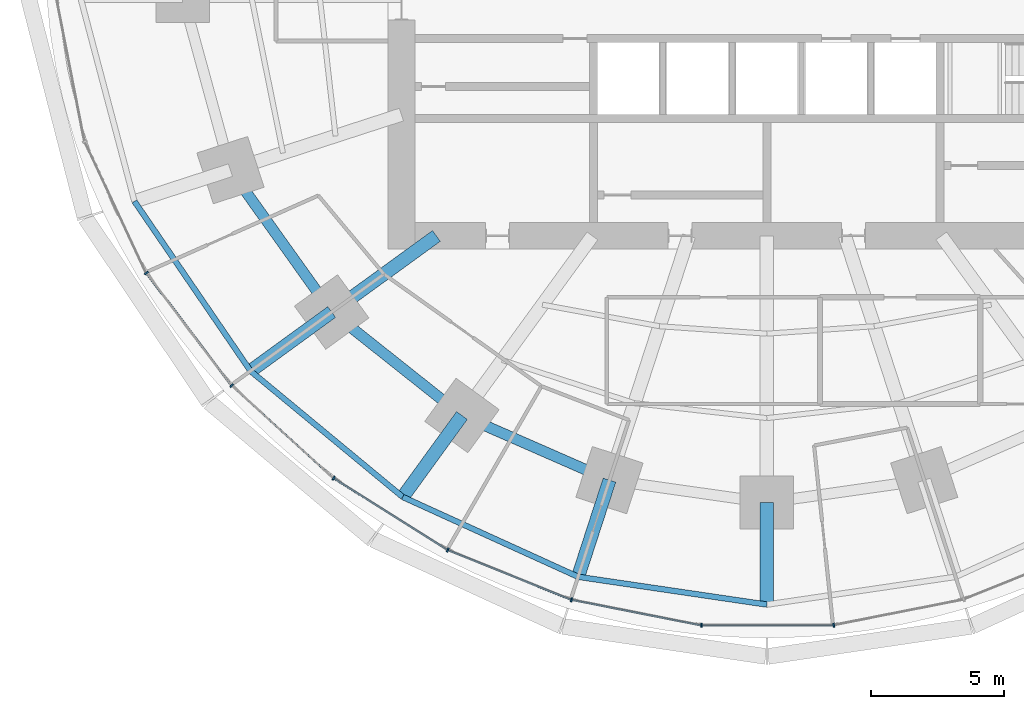
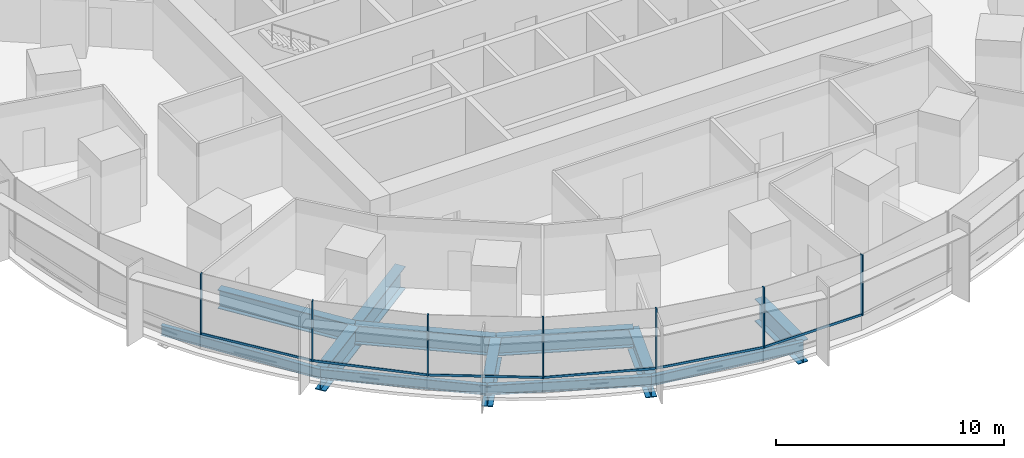
# One storey, part 2 of 15: 13 members, 12 beams, 2 elements without a shape of their own.
"""IFC4 building model written with IfcOpenShell, lengths in metres."""

from ifc_helpers import new_model, si_unit, direction, frame, origin, origin_2d, place, context, subcontext, project, spatial, rectangle, i_section, extrude, material, material_profile, profile_set, type_object, element, aggregate, save


model = new_model("IFC4")

# Units and contexts
model_context = context("Model", 3, precision=1e-05, world=origin(), true_north=direction((0.0, 1.0)))
body_context = subcontext(model_context, "Body", "Model", "MODEL_VIEW")
ifc_project = project(units=[si_unit("LENGTHUNIT", "METRE"), si_unit("AREAUNIT", "SQUARE_METRE"), si_unit("VOLUMEUNIT", "CUBIC_METRE"), si_unit("PLANEANGLEUNIT", "RADIAN"), si_unit("MASSUNIT", "GRAM", prefix="KILO")], contexts=[model_context])

# Site, building, storey
site_placement = place(None, origin())
site = spatial("IfcSite", under=ifc_project, at=site_placement, CompositionType="ELEMENT")
building_placement = place(site_placement, origin())
building = spatial("IfcBuilding", under=site, at=building_placement, Name="Marramba Exchange Tower", CompositionType="ELEMENT")
storey_placement = place(building_placement, frame((0.0, 0.0, 57.39990234375)))
storey = spatial("IfcBuildingStorey", under=building, at=storey_placement, Name="L13", CompositionType="ELEMENT", Elevation=57.39990234375)

# Beams
ifc_material_1 = material(Name="Steel AS/NZS 3679.2 grade 300", Category="steel")
ifc_material_profile_1 = material_profile(ifc_material_1, i_section(OverallWidth=0.5, OverallDepth=1.199951171875, WebThickness=0.01611328125, FlangeThickness=0.0400390625, at=origin_2d()), Name="1200WB455")
ifc_profile_set_1 = profile_set([ifc_material_profile_1], Name="Steel AS/NZS 3679.2 grade 300")
beam_type_1 = type_object("IfcBeamType", Name="Cantilever girder 1200WB455", PredefinedType="BEAM", material=ifc_profile_set_1)
beam_1_placement = place(storey_placement, frame((-16.3154296875, -11.853759765625, -0.760009765625), z_axis=(-0.809008346081, -0.587797155463, 0.0), x_axis=(0.587797155463, -0.809008346081, 0.0)))
element("IfcBeam", 1, at=beam_1_placement, inside=storey, type_object=beam_type_1, Name="Cantilever girder L13 TC13", PredefinedType="BEAM", context=body_context, shape_type="SweptSolid", body=[
    extrude(i_section(OverallWidth=0.5, OverallDepth=1.199951171875, WebThickness=0.01611328125, FlangeThickness=0.0400390625, at=origin_2d()), origin(), (0.0, 0.0, 1.0), 3.76025390625),
])
beam_2_placement = place(storey_placement, frame((-11.430419921875, -15.732666015625, -0.760009765625), z_axis=(-0.587787232741, -0.809015555491, 0.0), x_axis=(0.809015555491, -0.587787232741, 0.0)))
element("IfcBeam", 2, at=beam_2_placement, inside=storey, type_object=beam_type_1, Name="Cantilever girder L13 TC14", PredefinedType="BEAM", context=body_context, shape_type="SweptSolid", body=[
    extrude(i_section(OverallWidth=0.5, OverallDepth=1.199951171875, WebThickness=0.01611328125, FlangeThickness=0.0400390625, at=origin_2d()), origin(), (0.0, 0.0, 1.0), 3.7763671875),
])
beam_3_placement = place(storey_placement, frame((-5.899658203125, -18.156982421875, -0.760009765625), z_axis=(-0.309009272901, -0.951059025119, 0.0), x_axis=(0.951059025119, -0.309009272901, 0.0)))
element("IfcBeam", 3, at=beam_3_placement, inside=storey, type_object=beam_type_1, Name="Cantilever girder L13 TC15", PredefinedType="BEAM", context=body_context, shape_type="SweptSolid", body=[
    extrude(i_section(OverallWidth=0.5, OverallDepth=1.199951171875, WebThickness=0.01611328125, FlangeThickness=0.0400390625, at=origin_2d()), origin(), (0.0, 0.0, 1.0), 3.809814453125),
])
beam_4_placement = place(storey_placement, frame((0.0, -18.99609375, -0.760009765625), z_axis=(0.0, -1.0, 0.0), x_axis=(1.0, 0.0, 0.0)))
element("IfcBeam", 4, at=beam_4_placement, inside=storey, type_object=beam_type_1, Name="Cantilever girder L13 TC16", PredefinedType="BEAM", context=body_context, shape_type="SweptSolid", body=[
    extrude(i_section(OverallWidth=0.5, OverallDepth=1.199951171875, WebThickness=0.01611328125, FlangeThickness=0.0400390625, at=origin_2d()), origin(), (0.0, 0.0, 1.0), 3.825927734375),
])
ifc_material_profile_2 = material_profile(ifc_material_1, i_section(OverallWidth=0.5, OverallDepth=1.199951171875, WebThickness=0.01611328125, FlangeThickness=0.0400390625, at=origin_2d()), Name="1200WB455")
ifc_profile_set_2 = profile_set([ifc_material_profile_2], Name="Steel AS/NZS 3679.2 grade 300")
beam_type_2 = type_object("IfcBeamType", Name="Radial girder 1200WB455", PredefinedType="BEAM", material=ifc_profile_set_2)
beam_5_placement = place(storey_placement, frame((-12.387451171875, -9.0, -0.760009765625), z_axis=(-0.809025189606, -0.58777397236, 0.0), x_axis=(0.58777397236, -0.809025189606, 0.0)))
element("IfcBeam", 5, at=beam_5_placement, inside=storey, type_object=beam_type_2, Name="Radial girder L13 TC13", PredefinedType="BEAM", context=body_context, shape_type="SweptSolid", body=[
    extrude(i_section(OverallWidth=0.5, OverallDepth=1.199951171875, WebThickness=0.01611328125, FlangeThickness=0.0400390625, at=origin_2d()), origin(), (0.0, 0.0, 1.0), 4.855224609375),
])
ifc_material_profile_3 = material_profile(ifc_material_1, i_section(OverallWidth=0.39990234375, OverallDepth=1.0, WebThickness=0.01611328125, FlangeThickness=0.031982421875, at=origin_2d()), Name="1000WB322")
ifc_profile_set_3 = profile_set([ifc_material_profile_3], Name="Steel AS/NZS 3679.2 grade 300")
beam_type_3 = type_object("IfcBeamType", Name="Ring beam 1000WB322", PredefinedType="SPANDREL", material=ifc_profile_set_3)
beam_6_placement = place(storey_placement, frame((-20.109375, -6.533935546875, -0.659912109375), z_axis=(0.580637181111, -0.814162430914, 0.0), x_axis=(0.814162430914, 0.580637181111, 0.0)))
element("IfcBeam", 6, at=beam_6_placement, inside=storey, type_object=beam_type_3, Name="Ring beam L13 TC12-TC13", PredefinedType="SPANDREL", context=body_context, shape_type="SweptSolid", body=[
    extrude(i_section(OverallWidth=0.39990234375, OverallDepth=1.0, WebThickness=0.01611328125, FlangeThickness=0.031982421875, at=origin_2d()), origin(), (0.0, 0.0, 1.0), 6.5341796875),
])
beam_7_placement = place(storey_placement, frame((-16.3154296875, -11.853759765625, -0.659912109375), z_axis=(0.783139438128, -0.621846138887, 0.0), x_axis=(0.621846138887, 0.783139438128, 0.0)))
element("IfcBeam", 7, at=beam_7_placement, inside=storey, type_object=beam_type_3, Name="Ring beam L13 TC13-TC14", PredefinedType="SPANDREL", context=body_context, shape_type="SweptSolid", body=[
    extrude(i_section(OverallWidth=0.39990234375, OverallDepth=1.0, WebThickness=0.01611328125, FlangeThickness=0.031982421875, at=origin_2d()), origin(), (0.0, 0.0, 1.0), 6.23779296875),
])
beam_8_placement = place(storey_placement, frame((-11.430419921875, -15.732666015625, -0.659912109375), z_axis=(0.915876892158, -0.4014592363, 0.0), x_axis=(0.4014592363, 0.915876892158, 0.0)))
element("IfcBeam", 8, at=beam_8_placement, inside=storey, type_object=beam_type_3, Name="Ring beam L13 TC14-TC15", PredefinedType="SPANDREL", context=body_context, shape_type="SweptSolid", body=[
    extrude(i_section(OverallWidth=0.39990234375, OverallDepth=1.0, WebThickness=0.01611328125, FlangeThickness=0.031982421875, at=origin_2d()), origin(), (0.0, 0.0, 1.0), 6.038818359375),
])
ifc_material_2 = material(Name="Steel AS/NZS 3679.1 grade 300", Category="steel")
ifc_material_profile_4 = material_profile(ifc_material_2, i_section(OverallWidth=0.208984375, OverallDepth=0.528076171875, WebThickness=0.009521484375, FlangeThickness=0.01318359375, FilletRadius=0.013916015625, at=origin_2d()), Name="530UB82.0")
ifc_profile_set_4 = profile_set([ifc_material_profile_4], Name="Steel AS/NZS 3679.1 grade 300")
beam_type_4 = type_object("IfcBeamType", Name="Slab edge beam 530UB82.0", PredefinedType="SPANDREL", material=ifc_profile_set_4)
beam_9_placement = place(storey_placement, frame((-23.709716796875, -7.703857421875, -0.423828125), z_axis=(0.564740697285, -0.82526840775, 0.0), x_axis=(0.82526840775, 0.564740697285, 0.0)))
element("IfcBeam", 9, at=beam_9_placement, inside=storey, type_object=beam_type_4, Name="Slab edge beam L13 TC12-TC13", PredefinedType="SPANDREL", context=body_context, shape_type="SweptSolid", body=[
    extrude(i_section(OverallWidth=0.208984375, OverallDepth=0.528076171875, WebThickness=0.009521484375, FlangeThickness=0.01318359375, FilletRadius=0.013916015625, at=origin_2d()), origin(), (0.0, 0.0, 1.0), 7.706787109375),
])
beam_10_placement = place(storey_placement, frame((-19.357421875, -14.06396484375, -0.423828125), z_axis=(0.770353575372, -0.637616945283, 0.0), x_axis=(0.637616945283, 0.770353575372, 0.0)))
element("IfcBeam", 10, at=beam_10_placement, inside=storey, type_object=beam_type_4, Name="Slab edge beam L13 TC13-TC14", PredefinedType="SPANDREL", context=body_context, shape_type="SweptSolid", body=[
    extrude(i_section(OverallWidth=0.208984375, OverallDepth=0.528076171875, WebThickness=0.009521484375, FlangeThickness=0.01318359375, FilletRadius=0.013916015625, at=origin_2d()), origin(), (0.0, 0.0, 1.0), 7.40869140625),
])
beam_11_placement = place(storey_placement, frame((-13.650146484375, -18.787841796875, -0.423828125), z_axis=(0.910126690081, -0.414330071324, 0.0), x_axis=(0.414330071324, 0.910126690081, 0.0)))
element("IfcBeam", 11, at=beam_11_placement, inside=storey, type_object=beam_type_4, Name="Slab edge beam L13 TC14-TC15", PredefinedType="SPANDREL", context=body_context, shape_type="SweptSolid", body=[
    extrude(i_section(OverallWidth=0.208984375, OverallDepth=0.528076171875, WebThickness=0.009521484375, FlangeThickness=0.01318359375, FilletRadius=0.013916015625, at=origin_2d()), origin(), (0.0, 0.0, 1.0), 7.222412109375),
])
beam_12_placement = place(storey_placement, frame((-7.076904296875, -21.7802734375, -0.423828125), z_axis=(0.989338462178, -0.145634498848, 0.0), x_axis=(0.145634498848, 0.989338462178, 0.0)))
element("IfcBeam", 12, at=beam_12_placement, inside=storey, type_object=beam_type_4, Name="Slab edge beam L13 TC15-TC16", PredefinedType="SPANDREL", context=body_context, shape_type="SweptSolid", body=[
    extrude(i_section(OverallWidth=0.208984375, OverallDepth=0.528076171875, WebThickness=0.009521484375, FlangeThickness=0.01318359375, FilletRadius=0.013916015625, at=origin_2d()), origin(), (0.0, 0.0, 1.0), 7.153076171875),
])

# Curtain wall, members
ifc_material_3 = material(Name="Aluminium framing, bronze anodised", Category="aluminium")
curtain_wall_type = type_object("IfcCurtainWallType", Name="Trading floor ribbon curtain wall", PredefinedType="USERDEFINED", material=ifc_material_3)
curtain_wall_1_placement = place(storey_placement, origin())
curtain_wall_1 = element("IfcCurtainWall", 13, at=curtain_wall_1_placement, inside=storey, type_object=curtain_wall_type, Name="Curtain wall CW3 L13 F16-F20", ObjectType="RIBBON CURTAIN WALL", PredefinedType="USERDEFINED")
ifc_material_4 = material(Name="Aluminium mullion, bronze anodised", Category="aluminium")
ifc_material_profile_5 = material_profile(ifc_material_4, rectangle(XDim=0.159912109375, YDim=0.06005859375, at=origin_2d()), Name="CW3 mullion 60x160")
ifc_profile_set_5 = profile_set([ifc_material_profile_5], Name="Aluminium mullion, bronze anodised")
member_type_1 = type_object("IfcMemberType", Name="Trading floor ribbon curtain wall mullion", PredefinedType="MULLION", material=ifc_profile_set_5)
member_1_placement = place(storey_placement, frame((-23.26318359375, -10.389404296875, 0.800048828125), z_axis=(0.0, 0.0, 1.0), x_axis=(0.797710591138, 0.603040473588, 0.0)))
member_1 = element("IfcMember", 14, at=member_1_placement, type_object=member_type_1, Name="CW3 mullion 1", PredefinedType="MULLION", context=body_context, shape_type="SweptSolid", body=[
    extrude(rectangle(XDim=0.159912109375, YDim=0.06005859375, at=origin_2d()), origin(), (0.0, 0.0, 1.0), 3.239990234375),
])
member_2_placement = place(storey_placement, frame((-20.063232421875, -14.61328125, 0.800048828125), z_axis=(0.0, 0.0, 1.0), x_axis=(0.673058133441, 0.739589581463, 0.0)))
member_2 = element("IfcMember", 15, at=member_2_placement, type_object=member_type_1, Name="CW3 mullion 1", PredefinedType="MULLION", context=body_context, shape_type="SweptSolid", body=[
    extrude(rectangle(XDim=0.159912109375, YDim=0.06005859375, at=origin_2d()), origin(), (0.0, 0.0, 1.0), 3.239990234375),
])
member_3_placement = place(storey_placement, frame((-16.242431640625, -18.083251953125, 0.800048828125), z_axis=(0.0, 0.0, 1.0), x_axis=(0.533514646612, 0.845790826298, 0.0)))
member_3 = element("IfcMember", 16, at=member_3_placement, type_object=member_type_1, Name="CW3 mullion 1", PredefinedType="MULLION", context=body_context, shape_type="SweptSolid", body=[
    extrude(rectangle(XDim=0.159912109375, YDim=0.06005859375, at=origin_2d()), origin(), (0.0, 0.0, 1.0), 3.239990234375),
])

curtain_wall_2_placement = place(storey_placement, origin())
curtain_wall_2 = element("IfcCurtainWall", 17, at=curtain_wall_2_placement, inside=storey, type_object=curtain_wall_type, Name="Curtain wall CW3 L13 F21-F25", ObjectType="RIBBON CURTAIN WALL", PredefinedType="USERDEFINED")
member_4_placement = place(storey_placement, frame((-11.96142578125, -20.77734375, 0.800048828125), z_axis=(0.0, 0.0, 1.0), x_axis=(0.374218219325, 0.927340673283, 0.0)))
member_4 = element("IfcMember", 18, at=member_4_placement, type_object=member_type_1, Name="CW3 mullion 1", PredefinedType="MULLION", context=body_context, shape_type="SweptSolid", body=[
    extrude(rectangle(XDim=0.159912109375, YDim=0.06005859375, at=origin_2d()), origin(), (0.0, 0.0, 1.0), 3.239990234375),
])
member_5_placement = place(storey_placement, frame((-7.325439453125, -22.64208984375, 0.800048828125), z_axis=(0.0, 0.0, 1.0), x_axis=(0.193961202977, 0.98100920064, 0.0)))
member_5 = element("IfcMember", 19, at=member_5_placement, type_object=member_type_1, Name="CW3 mullion 1", PredefinedType="MULLION", context=body_context, shape_type="SweptSolid", body=[
    extrude(rectangle(XDim=0.159912109375, YDim=0.06005859375, at=origin_2d()), origin(), (0.0, 0.0, 1.0), 3.239990234375),
])
member_6_placement = place(storey_placement, frame((-2.450439453125, -23.599853515625, 0.800048828125), z_axis=(0.0, 0.0, 1.0), x_axis=(0.0, 1.0, 0.0)))
member_6 = element("IfcMember", 20, at=member_6_placement, type_object=member_type_1, Name="CW3 mullion 1", PredefinedType="MULLION", context=body_context, shape_type="SweptSolid", body=[
    extrude(rectangle(XDim=0.159912109375, YDim=0.06005859375, at=origin_2d()), origin(), (0.0, 0.0, 1.0), 3.239990234375),
])
member_7_placement = place(storey_placement, frame((2.509765625, -23.59423828125, 0.800048828125), z_axis=(0.0, 0.0, 1.0), x_axis=(-0.193961202977, 0.98100920064, 0.0)))
member_7 = element("IfcMember", 21, at=member_7_placement, type_object=member_type_1, Name="CW3 mullion 1", PredefinedType="MULLION", context=body_context, shape_type="SweptSolid", body=[
    extrude(rectangle(XDim=0.159912109375, YDim=0.06005859375, at=origin_2d()), origin(), (0.0, 0.0, 1.0), 3.239990234375),
])

# Member
ifc_material_5 = material(Name="Aluminium transom, bronze anodised", Category="aluminium")
ifc_material_profile_6 = material_profile(ifc_material_5, rectangle(XDim=0.06005859375, YDim=0.1201171875, at=origin_2d()), Name="CW3 transom 60x120")
ifc_profile_set_6 = profile_set([ifc_material_profile_6], Name="Aluminium transom, bronze anodised")
member_type_2 = type_object("IfcMemberType", Name="Trading floor ribbon curtain wall transom", PredefinedType="USERDEFINED", material=ifc_profile_set_6)
member_8_placement = place(storey_placement, frame((-23.2451171875, -10.413330078125, 0.830078125), z_axis=(0.603037409419, -0.797712907531, 0.0), x_axis=(0.797712907531, 0.603037409419, 0.0)))
member_8 = element("IfcMember", 22, at=member_8_placement, type_object=member_type_2, Name="CW3 sill transom", ObjectType="TRANSOM", PredefinedType="USERDEFINED", context=body_context, shape_type="SweptSolid", body=[
    extrude(rectangle(XDim=0.06005859375, YDim=0.1201171875, at=origin_2d()), origin(), (0.0, 0.0, 1.0), 5.239501953125),
])

member_9_placement = place(storey_placement, frame((-20.041015625, -14.63330078125, 0.830078125), z_axis=(0.739582688456, -0.673065707741, 0.0), x_axis=(0.673065707741, 0.739582688456, 0.0)))
member_9 = element("IfcMember", 23, at=member_9_placement, type_object=member_type_2, Name="CW3 sill transom", ObjectType="TRANSOM", PredefinedType="USERDEFINED", context=body_context, shape_type="SweptSolid", body=[
    extrude(rectangle(XDim=0.06005859375, YDim=0.1201171875, at=origin_2d()), origin(), (0.0, 0.0, 1.0), 5.101806640625),
])

member_10_placement = place(storey_placement, frame((-16.217041015625, -18.09912109375, 0.830078125), z_axis=(0.845776602594, -0.533537195053, 0.0), x_axis=(0.533537195053, 0.845776602594, 0.0)))
member_10 = element("IfcMember", 24, at=member_10_placement, type_object=member_type_2, Name="CW3 sill transom", ObjectType="TRANSOM", PredefinedType="USERDEFINED", context=body_context, shape_type="SweptSolid", body=[
    extrude(rectangle(XDim=0.06005859375, YDim=0.1201171875, at=origin_2d()), origin(), (0.0, 0.0, 1.0), 4.998779296875),
])

aggregate(curtain_wall_1, [member_1, member_8, member_2, member_9, member_3, member_10])

member_11_placement = place(storey_placement, frame((-11.93359375, -20.78857421875, 0.830078125), z_axis=(0.927340197166, -0.374219399176, 0.0), x_axis=(0.374219399176, 0.927340197166, 0.0)))
member_11 = element("IfcMember", 25, at=member_11_placement, type_object=member_type_2, Name="CW3 sill transom", ObjectType="TRANSOM", PredefinedType="USERDEFINED", context=body_context, shape_type="SweptSolid", body=[
    extrude(rectangle(XDim=0.06005859375, YDim=0.1201171875, at=origin_2d()), origin(), (0.0, 0.0, 1.0), 4.937255859375),
])

member_12_placement = place(storey_placement, frame((-7.296142578125, -22.64794921875, 0.830078125), z_axis=(0.981018169547, -0.193915834883, 0.0), x_axis=(0.193915834883, 0.981018169547, 0.0)))
member_12 = element("IfcMember", 26, at=member_12_placement, type_object=member_type_2, Name="CW3 sill transom", ObjectType="TRANSOM", PredefinedType="USERDEFINED", context=body_context, shape_type="SweptSolid", body=[
    extrude(rectangle(XDim=0.06005859375, YDim=0.1201171875, at=origin_2d()), origin(), (0.0, 0.0, 1.0), 4.908935546875),
])

member_13_placement = place(storey_placement, frame((-2.42041015625, -23.599853515625, 0.830078125), z_axis=(1.0, 0.0, 0.0), x_axis=(0.0, 1.0, 0.0)))
member_13 = element("IfcMember", 27, at=member_13_placement, type_object=member_type_2, Name="CW3 sill transom", ObjectType="TRANSOM", PredefinedType="USERDEFINED", context=body_context, shape_type="SweptSolid", body=[
    extrude(rectangle(XDim=0.06005859375, YDim=0.1201171875, at=origin_2d()), origin(), (0.0, 0.0, 1.0), 4.90087890625),
])

aggregate(curtain_wall_2, [member_4, member_11, member_5, member_12, member_6, member_13, member_7])

save(model, "model.ifc")
